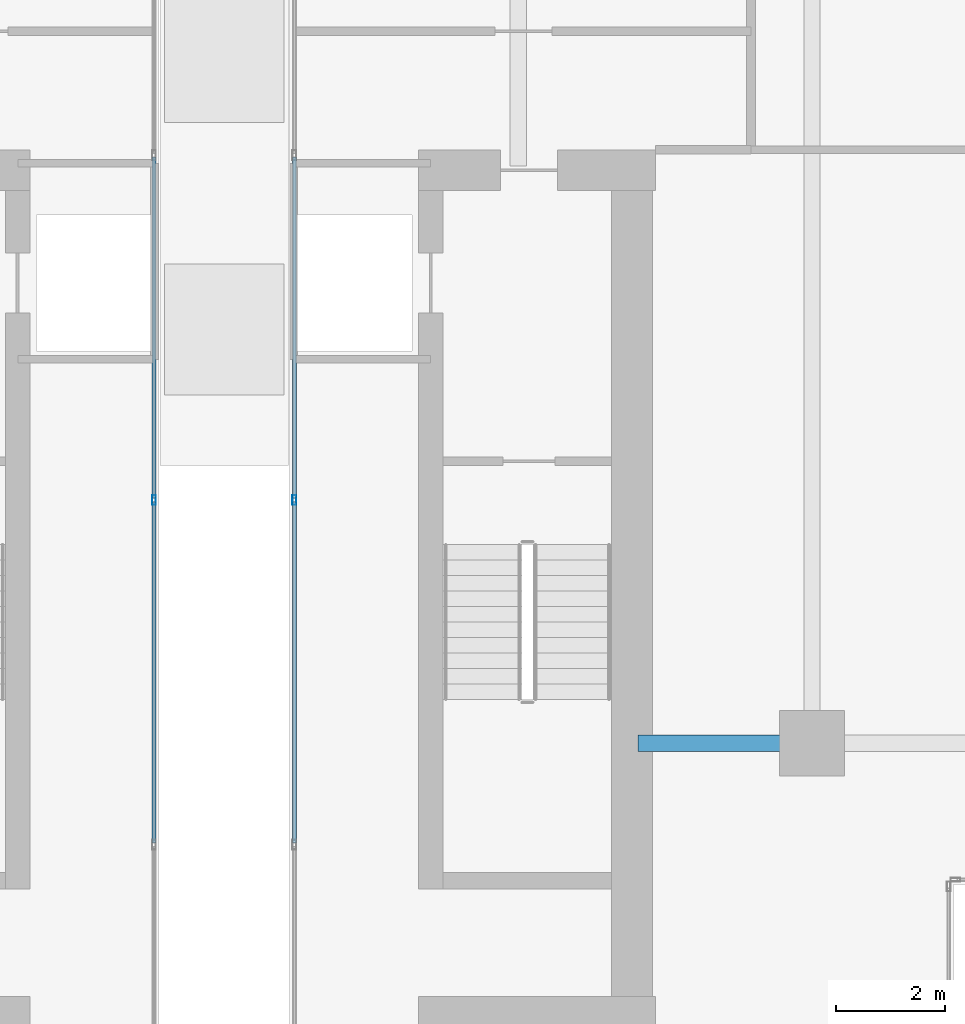
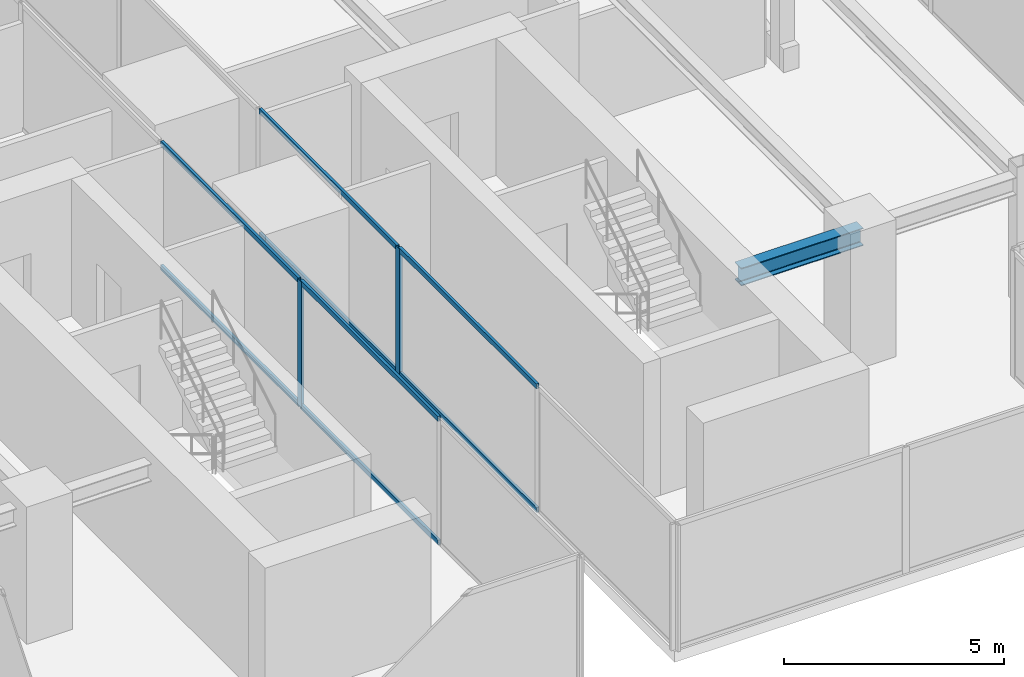
# One storey, part 6 of 25: 10 members, 1 beam, 2 elements without a shape of their own.
"""IFC4 building model written with IfcOpenShell, lengths in metres."""

from ifc_helpers import new_model, si_unit, direction, frame, origin, origin_2d, place, context, subcontext, project, spatial, hollow_rectangle, i_section, extrude, source, transform, mapped, material, material_profile, profile_set, type_object, type_shapes, element, aggregate, save


model = new_model("IFC4")

# Units and contexts
model_context = context("Model", 3, precision=1e-05, world=origin(), true_north=direction((0.0, 1.0)))
body_context = subcontext(model_context, "Body", "Model", "MODEL_VIEW")
ifc_project = project(units=[si_unit("LENGTHUNIT", "METRE"), si_unit("AREAUNIT", "SQUARE_METRE"), si_unit("VOLUMEUNIT", "CUBIC_METRE"), si_unit("PLANEANGLEUNIT", "RADIAN"), si_unit("MASSUNIT", "GRAM", prefix="KILO")], contexts=[model_context])

# Site, building, storey
site_placement = place(None, origin())
site = spatial("IfcSite", under=ifc_project, at=site_placement, CompositionType="ELEMENT")
building_placement = place(site_placement, origin())
building = spatial("IfcBuilding", under=site, at=building_placement, Name="Krantzveldt Concourse Tower", CompositionType="ELEMENT")
storey_placement = place(building_placement, frame((0.0, 0.0, 367.050048828125)))
storey = spatial("IfcBuildingStorey", under=building, at=storey_placement, Name="L90", CompositionType="ELEMENT", Elevation=367.050048828125)

# Beam
ifc_material_1 = material(Name="Steel S355JR", Category="steel")
ifc_material_profile_1 = material_profile(ifc_material_1, i_section(OverallWidth=0.300048828125, OverallDepth=0.489990234375, WebThickness=0.011962890625, FlangeThickness=0.02294921875, FilletRadius=0.027099609375, at=origin_2d()), Name="Steel S355JR", Category="steel")
ifc_profile_set_1 = profile_set([ifc_material_profile_1], Name="Steel S355JR - HEA 500")
beam_type = type_object("IfcBeamType", Name="BM-B-HEA500", PredefinedType="BEAM", material=ifc_profile_set_1)
shared_shape_1 = source(origin(), body_context, "Body", "SweptSolid", [
    extrude(i_section(OverallWidth=0.300048828125, OverallDepth=0.489990234375, WebThickness=0.011962890625, FlangeThickness=0.02294921875, FilletRadius=0.027099609375, at=origin_2d()), origin(), (0.0, 0.0, 1.0), 3.199951171875),
])
type_shapes(beam_type, [shared_shape_1])
beam_placement = place(storey_placement, frame((46.800048828125, 15.89990234375, 3.2548828125), z_axis=(-1.0, 0.0, 0.0), x_axis=(0.0, -1.0, 0.0)))
element("IfcBeam", 1, at=beam_placement, inside=storey, type_object=beam_type, Name="L90 Crown Girder EAST-7", PredefinedType="BEAM", context=body_context, shape_type="MappedRepresentation", body=[
    mapped(shared_shape_1, transform((0.0, 0.0, 0.0), x_axis=(1.0, 0.0, 0.0), y_axis=(0.0, 1.0, 0.0), z_axis=(0.0, 0.0, 1.0), scale=1.0)),
])

# Curtain wall, member
ifc_material_2 = material(Name="Anodised aluminium 6063-T6", Category="aluminium")
curtain_wall_type = type_object("IfcCurtainWallType", Name="CW7", PredefinedType="USERDEFINED", material=ifc_material_2)
curtain_wall_1_placement = place(storey_placement, origin())
curtain_wall_1 = element("IfcCurtainWall", 2, at=curtain_wall_1_placement, inside=storey, type_object=curtain_wall_type, Name="CW-L90-WEST-01", ObjectType="UNITISED CURTAIN WALL", PredefinedType="USERDEFINED")
ifc_material_profile_2 = material_profile(ifc_material_2, hollow_rectangle(XDim=0.070068359375, YDim=0.179931640625, WallThickness=0.0048828125, at=origin_2d()), Name="Anodised aluminium 6063-T6", Category="aluminium")
ifc_profile_set_2 = profile_set([ifc_material_profile_2], Name="Anodised aluminium 6063-T6 - ALU-MULL 180x70x5")
member_type_1 = type_object("IfcMemberType", Name="CW-MUL-180", PredefinedType="MULLION", material=ifc_profile_set_2)
shared_shape_2 = source(origin(), body_context, "Body", "SweptSolid", [
    extrude(hollow_rectangle(XDim=0.070068359375, YDim=0.179931640625, WallThickness=0.0048828125, at=origin_2d()), origin(), (0.0, 0.0, 1.0), 3.5),
])
type_shapes(member_type_1, [shared_shape_2])
member_1_placement = place(storey_placement, frame((34.7099609375, 20.36669921875, 0.0), z_axis=(0.0, 0.0, 1.0), x_axis=(-1.0, 0.0, 0.0)))
member_1 = element("IfcMember", 3, at=member_1_placement, type_object=member_type_1, Name="CW-CRN mullion 3", PredefinedType="MULLION", context=body_context, shape_type="MappedRepresentation", body=[
    mapped(shared_shape_2, transform((0.0, 0.0, 0.0), x_axis=(1.0, 0.0, 0.0), y_axis=(0.0, 1.0, 0.0), z_axis=(0.0, 0.0, 1.0), scale=1.0)),
])

curtain_wall_2_placement = place(storey_placement, origin())
curtain_wall_2 = element("IfcCurtainWall", 4, at=curtain_wall_2_placement, inside=storey, type_object=curtain_wall_type, Name="CW-L90-EAST-07", ObjectType="UNITISED CURTAIN WALL", PredefinedType="USERDEFINED")
member_2_placement = place(storey_placement, frame((37.2900390625, 20.36669921875, 0.0), z_axis=(0.0, 0.0, 1.0), x_axis=(1.0, 0.0, 0.0)))
member_2 = element("IfcMember", 5, at=member_2_placement, type_object=member_type_1, Name="CW-CRN mullion 5", PredefinedType="MULLION", context=body_context, shape_type="MappedRepresentation", body=[
    mapped(shared_shape_2, transform((0.0, 0.0, 0.0), x_axis=(1.0, 0.0, 0.0), y_axis=(0.0, 1.0, 0.0), z_axis=(0.0, 0.0, 1.0), scale=1.0)),
])

# Member
ifc_material_profile_3 = material_profile(ifc_material_2, hollow_rectangle(XDim=0.070068359375, YDim=0.139892578125, WallThickness=0.0048828125, at=origin_2d()), Name="Anodised aluminium 6063-T6", Category="aluminium")
ifc_profile_set_3 = profile_set([ifc_material_profile_3], Name="Anodised aluminium 6063-T6 - ALU-TRAN 140x70x5")
member_type_2 = type_object("IfcMemberType", Name="CW-TRN-150", PredefinedType="USERDEFINED", material=ifc_profile_set_3)
shared_shape_3 = source(origin(), body_context, "Body", "SweptSolid", [
    extrude(hollow_rectangle(XDim=0.070068359375, YDim=0.139892578125, WallThickness=0.0048828125, at=origin_2d()), origin(), (0.0, 0.0, 1.0), 6.263427734375),
])
type_shapes(member_type_2, [shared_shape_3])
member_3_placement = place(storey_placement, frame((34.7099609375, 14.068359375, 0.034912109375), z_axis=(0.0, 1.0, 0.0), x_axis=(-1.0, 0.0, 0.0)))
member_3 = element("IfcMember", 6, at=member_3_placement, type_object=member_type_2, Name="CW-CRN transom 2.1", ObjectType="TRANSOM", PredefinedType="USERDEFINED", context=body_context, shape_type="MappedRepresentation", body=[
    mapped(shared_shape_3, transform((0.0, 0.0, 0.0), x_axis=(1.0, 0.0, 0.0), y_axis=(0.0, 1.0, 0.0), z_axis=(0.0, 0.0, 1.0), scale=1.0)),
])

member_4_placement = place(storey_placement, frame((34.7099609375, 14.068359375, 3.46484375), z_axis=(0.0, 1.0, 0.0), x_axis=(-1.0, 0.0, 0.0)))
member_4 = element("IfcMember", 7, at=member_4_placement, type_object=member_type_2, Name="CW-CRN transom 2.2", ObjectType="TRANSOM", PredefinedType="USERDEFINED", context=body_context, shape_type="MappedRepresentation", body=[
    mapped(shared_shape_3, transform((0.0, 0.0, 0.0), x_axis=(1.0, 0.0, 0.0), y_axis=(0.0, 1.0, 0.0), z_axis=(0.0, 0.0, 1.0), scale=1.0)),
])

member_5_placement = place(storey_placement, frame((34.7099609375, 20.401611328125, 0.034912109375), z_axis=(0.0, 1.0, 0.0), x_axis=(-1.0, 0.0, 0.0)))
member_5 = element("IfcMember", 8, at=member_5_placement, type_object=member_type_2, Name="CW-CRN transom 3.1", ObjectType="TRANSOM", PredefinedType="USERDEFINED", context=body_context, shape_type="MappedRepresentation", body=[
    mapped(shared_shape_3, transform((0.0, 0.0, 0.0), x_axis=(1.0, 0.0, 0.0), y_axis=(0.0, 1.0, 0.0), z_axis=(0.0, 0.0, 1.0), scale=1.0)),
])

member_6_placement = place(storey_placement, frame((34.7099609375, 20.401611328125, 3.46484375), z_axis=(0.0, 1.0, 0.0), x_axis=(-1.0, 0.0, 0.0)))
member_6 = element("IfcMember", 9, at=member_6_placement, type_object=member_type_2, Name="CW-CRN transom 3.2", ObjectType="TRANSOM", PredefinedType="USERDEFINED", context=body_context, shape_type="MappedRepresentation", body=[
    mapped(shared_shape_3, transform((0.0, 0.0, 0.0), x_axis=(1.0, 0.0, 0.0), y_axis=(0.0, 1.0, 0.0), z_axis=(0.0, 0.0, 1.0), scale=1.0)),
])

aggregate(curtain_wall_1, [member_1, member_3, member_4, member_5, member_6])

member_7_placement = place(storey_placement, frame((37.2900390625, 26.6650390625, 0.034912109375), z_axis=(0.0, -1.0, 0.0), x_axis=(1.0, 0.0, 0.0)))
member_7 = element("IfcMember", 10, at=member_7_placement, type_object=member_type_2, Name="CW-CRN transom 4.1", ObjectType="TRANSOM", PredefinedType="USERDEFINED", context=body_context, shape_type="MappedRepresentation", body=[
    mapped(shared_shape_3, transform((0.0, 0.0, 0.0), x_axis=(1.0, 0.0, 0.0), y_axis=(0.0, 1.0, 0.0), z_axis=(0.0, 0.0, 1.0), scale=1.0)),
])

member_8_placement = place(storey_placement, frame((37.2900390625, 26.6650390625, 3.46484375), z_axis=(0.0, -1.0, 0.0), x_axis=(1.0, 0.0, 0.0)))
member_8 = element("IfcMember", 11, at=member_8_placement, type_object=member_type_2, Name="CW-CRN transom 4.2", ObjectType="TRANSOM", PredefinedType="USERDEFINED", context=body_context, shape_type="MappedRepresentation", body=[
    mapped(shared_shape_3, transform((0.0, 0.0, 0.0), x_axis=(1.0, 0.0, 0.0), y_axis=(0.0, 1.0, 0.0), z_axis=(0.0, 0.0, 1.0), scale=1.0)),
])

member_9_placement = place(storey_placement, frame((37.2900390625, 20.331787109375, 0.034912109375), z_axis=(0.0, -1.0, 0.0), x_axis=(1.0, 0.0, 0.0)))
member_9 = element("IfcMember", 12, at=member_9_placement, type_object=member_type_2, Name="CW-CRN transom 5.1", ObjectType="TRANSOM", PredefinedType="USERDEFINED", context=body_context, shape_type="MappedRepresentation", body=[
    mapped(shared_shape_3, transform((0.0, 0.0, 0.0), x_axis=(1.0, 0.0, 0.0), y_axis=(0.0, 1.0, 0.0), z_axis=(0.0, 0.0, 1.0), scale=1.0)),
])

member_10_placement = place(storey_placement, frame((37.2900390625, 20.331787109375, 3.46484375), z_axis=(0.0, -1.0, 0.0), x_axis=(1.0, 0.0, 0.0)))
member_10 = element("IfcMember", 13, at=member_10_placement, type_object=member_type_2, Name="CW-CRN transom 5.2", ObjectType="TRANSOM", PredefinedType="USERDEFINED", context=body_context, shape_type="MappedRepresentation", body=[
    mapped(shared_shape_3, transform((0.0, 0.0, 0.0), x_axis=(1.0, 0.0, 0.0), y_axis=(0.0, 1.0, 0.0), z_axis=(0.0, 0.0, 1.0), scale=1.0)),
])

aggregate(curtain_wall_2, [member_2, member_7, member_8, member_9, member_10])

save(model, "model.ifc")
